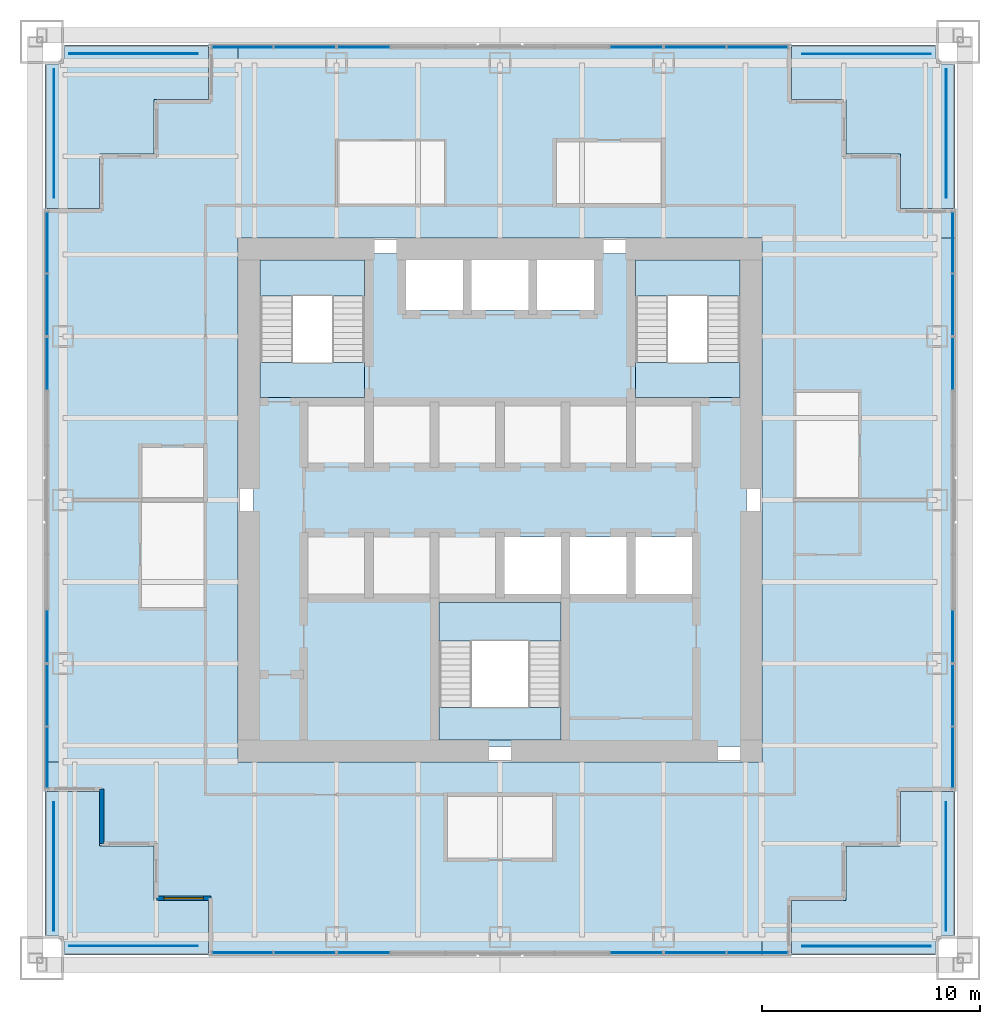
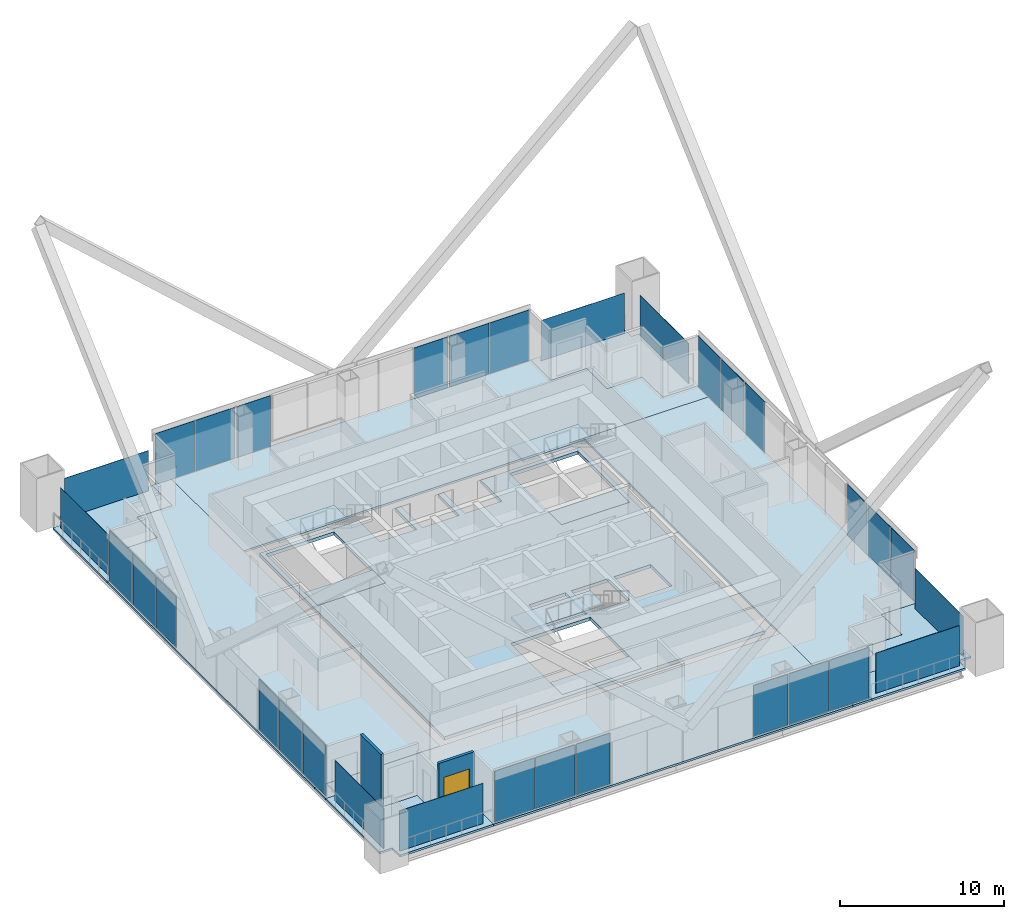
# One storey, part 13 of 19: 32 plates, 15 slabs, 2 walls, 1 window, 1 opening, 19 elements without a shape of their own.
"""IFC4 building model written with IfcOpenShell, lengths in metres."""

from ifc_helpers import new_model, si_unit, direction, frame, frame_2d, origin, origin_2d, place, context, subcontext, project, spatial, polyline, rectangle, outline, extrude, material, layer, layer_set, type_object, element, fill, aggregate, save


model = new_model("IFC4")

# Units and contexts
model_context = context("Model", 3, precision=1e-05, world=origin(), true_north=direction((0.0, 1.0)))
body_context = subcontext(model_context, "Body", "Model", "MODEL_VIEW")
ifc_project = project(units=[si_unit("LENGTHUNIT", "METRE"), si_unit("AREAUNIT", "SQUARE_METRE"), si_unit("VOLUMEUNIT", "CUBIC_METRE"), si_unit("PLANEANGLEUNIT", "RADIAN"), si_unit("MASSUNIT", "GRAM", prefix="KILO")], contexts=[model_context])

# Site, building, storey
site_placement = place(None, origin())
site = spatial("IfcSite", under=ifc_project, at=site_placement, CompositionType="ELEMENT")
building_placement = place(site_placement, origin())
building = spatial("IfcBuilding", under=site, at=building_placement, Name="Tarangal Relay Tower", CompositionType="ELEMENT")
storey_placement = place(building_placement, frame((0.0, 0.0, 275.89990234375)))
storey = spatial("IfcBuildingStorey", under=building, at=storey_placement, Name="L60", CompositionType="ELEMENT", Elevation=275.89990234375)

# Slabs
ifc_material_1 = material(Name="Concrete fc' 35 MPa", Category="concrete")
ifc_layer_1 = layer(ifc_material_1, 0.25)
ifc_layer_set_1 = layer_set([ifc_layer_1], Name="Core floor slab 250")
slab_type_1 = type_object("IfcSlabType", Name="Core floor slab 250", PredefinedType="FLOOR", material=ifc_layer_set_1)
slab_1_placement = place(storey_placement, frame((0.0, 0.0, -0.25)))
element("IfcSlab", 1, at=slab_1_placement, inside=storey, type_object=slab_type_1, Name="Core floor slab L60", PredefinedType="FLOOR", context=body_context, shape_type="SweptSolid", body=[
    extrude(outline(polyline([(11.300048828125, 11.300048828125), (11.300048828125, -11.300048828125), (-11.300048828125, -11.300048828125), (-11.300048828125, 11.300048828125), (-4.300048828125, 11.300048828125), (-4.300048828125, 8.699951171875), (-1.699951171875, 8.699951171875), (-1.699951171875, 11.300048828125), (-1.300048828125, 11.300048828125), (-1.300048828125, 8.699951171875), (1.300048828125, 8.699951171875), (1.300048828125, 11.300048828125), (1.699951171875, 11.300048828125), (1.699951171875, 8.699951171875), (4.300048828125, 8.699951171875), (4.300048828125, 11.300048828125), (11.300048828125, 11.300048828125)]), holes=[polyline([(2.800048828125, -4.699951171875), (-2.800048828125, -4.699951171875), (-2.800048828125, -11.0), (2.800048828125, -11.0), (2.800048828125, -4.699951171875)]), polyline([(2.800048828125, -1.699951171875), (0.199951171875, -1.699951171875), (0.199951171875, -4.300048828125), (2.800048828125, -4.300048828125), (2.800048828125, -1.699951171875)]), polyline([(5.800048828125, -1.699951171875), (3.199951171875, -1.699951171875), (3.199951171875, -4.300048828125), (5.800048828125, -4.300048828125), (5.800048828125, -1.699951171875)]), polyline([(8.800048828125, -1.699951171875), (6.199951171875, -1.699951171875), (6.199951171875, -4.300048828125), (8.800048828125, -4.300048828125), (8.800048828125, -1.699951171875)]), polyline([(-6.199951171875, 11.0), (-11.0, 11.0), (-11.0, 4.699951171875), (-6.199951171875, 4.699951171875), (-6.199951171875, 11.0)]), polyline([(11.0, 11.0), (6.199951171875, 11.0), (6.199951171875, 4.699951171875), (11.0, 4.699951171875), (11.0, 11.0)])]), origin(), (0.0, 0.0, 1.0), 0.25),
])
ifc_layer_2 = layer(ifc_material_1, 0.14990234375)
ifc_layer_set_2 = layer_set([ifc_layer_2], Name="Floor slab 150")
slab_type_2 = type_object("IfcSlabType", Name="Floor slab 150", PredefinedType="FLOOR", material=ifc_layer_set_2)
slab_2_placement = place(storey_placement, frame((0.0, 0.0, -0.14990234375)))
element("IfcSlab", 2, at=slab_2_placement, inside=storey, type_object=slab_type_2, Name="Floor slab FS3 L60 north bay", PredefinedType="FLOOR", context=body_context, shape_type="SweptSolid", body=[
    extrude(outline(polyline([(13.35009765625, 20.85009765625), (13.35009765625, 18.35009765625), (15.85009765625, 18.35009765625), (15.85009765625, 15.85009765625), (18.35009765625, 15.85009765625), (18.35009765625, 13.35009765625), (20.85009765625, 13.35009765625), (20.85009765625, 12.0), (-12.0, 12.0), (-12.0, 20.85009765625), (13.35009765625, 20.85009765625)])), origin(), (0.0, 0.0, 1.0), 0.14990234375),
])
slab_3_placement = place(storey_placement, frame((0.0, 0.0, -0.14990234375)))
element("IfcSlab", 3, at=slab_3_placement, inside=storey, type_object=slab_type_2, Name="Floor slab FS3 L60 east bay", PredefinedType="FLOOR", context=body_context, shape_type="SweptSolid", body=[
    extrude(outline(polyline([(20.85009765625, -13.35009765625), (18.35009765625, -13.35009765625), (18.35009765625, -15.85009765625), (15.85009765625, -15.85009765625), (15.85009765625, -18.35009765625), (13.35009765625, -18.35009765625), (13.35009765625, -20.85009765625), (12.0, -20.85009765625), (12.0, 12.0), (20.85009765625, 12.0), (20.85009765625, -13.35009765625)])), origin(), (0.0, 0.0, 1.0), 0.14990234375),
])
slab_4_placement = place(storey_placement, frame((0.0, 0.0, -0.14990234375)))
element("IfcSlab", 4, at=slab_4_placement, inside=storey, type_object=slab_type_2, Name="Floor slab FS3 L60 south bay", PredefinedType="FLOOR", context=body_context, shape_type="SweptSolid", body=[
    extrude(outline(polyline([(-13.35009765625, -20.85009765625), (-13.35009765625, -18.35009765625), (-15.85009765625, -18.35009765625), (-15.85009765625, -15.85009765625), (-18.35009765625, -15.85009765625), (-18.35009765625, -13.35009765625), (-20.85009765625, -13.35009765625), (-20.85009765625, -12.0), (12.0, -12.0), (12.0, -20.85009765625), (-13.35009765625, -20.85009765625)])), origin(), (0.0, 0.0, 1.0), 0.14990234375),
])
slab_5_placement = place(storey_placement, frame((0.0, 0.0, -0.14990234375)))
element("IfcSlab", 5, at=slab_5_placement, inside=storey, type_object=slab_type_2, Name="Floor slab FS3 L60 west bay", PredefinedType="FLOOR", context=body_context, shape_type="SweptSolid", body=[
    extrude(outline(polyline([(-12.0, 20.85009765625), (-12.0, -12.0), (-20.85009765625, -12.0), (-20.85009765625, 13.35009765625), (-18.35009765625, 13.35009765625), (-18.35009765625, 15.85009765625), (-15.85009765625, 15.85009765625), (-15.85009765625, 18.35009765625), (-13.35009765625, 18.35009765625), (-13.35009765625, 20.85009765625), (-12.0, 20.85009765625)])), origin(), (0.0, 0.0, 1.0), 0.14990234375),
])

# Curtain wall, plates
ifc_material_2 = material(Name="Unitised curtain wall, dark glass and black aluminium", Category="aluminium")
curtain_wall_type = type_object("IfcCurtainWallType", Name="Curtain wall CW-B", PredefinedType="USERDEFINED", material=ifc_material_2)
curtain_wall_1_placement = place(storey_placement, origin())
curtain_wall_1 = element("IfcCurtainWall", 6, at=curtain_wall_1_placement, inside=storey, type_object=curtain_wall_type, Name="Curtain wall CW-B N facade L60", ObjectType="UNITISED CURTAIN WALL", PredefinedType="USERDEFINED")
ifc_material_3 = material(Name="Dark tinted insulated glass unit", Category="glass")
ifc_layer_3 = layer(ifc_material_3, 0.030029296875)
ifc_layer_set_3 = layer_set([ifc_layer_3], Name="Glazed panel CW-B 30")
plate_type_1 = type_object("IfcPlateType", Name="Glazed panel CW-B 30", PredefinedType="CURTAIN_PANEL", material=ifc_layer_set_3)
plate_1_placement = place(storey_placement, frame((-11.797607421875, 20.75, 0.06005859375), z_axis=(0.0, 0.0, 1.0), x_axis=(1.0, 0.0, 0.0)))
plate_1 = element("IfcPlate", 7, at=plate_1_placement, type_object=plate_type_1, Name="CW-B panel 1.1", PredefinedType="CURTAIN_PANEL", context=body_context, shape_type="SweptSolid", body=[
    extrude(rectangle(XDim=2.784912109375, YDim=0.030029296875, at=origin_2d()), origin(), (0.0, 0.0, 1.0), 3.7900390625),
])
plate_2_placement = place(storey_placement, frame((-8.952392578125, 20.75, 0.06005859375), z_axis=(0.0, 0.0, 1.0), x_axis=(1.0, 0.0, 0.0)))
plate_2 = element("IfcPlate", 8, at=plate_2_placement, type_object=plate_type_1, Name="CW-B panel 2.1", PredefinedType="CURTAIN_PANEL", context=body_context, shape_type="SweptSolid", body=[
    extrude(rectangle(XDim=2.784912109375, YDim=0.030029296875, at=origin_2d()), origin(), (0.0, 0.0, 1.0), 3.7900390625),
])
aggregate(curtain_wall_1, [plate_1, plate_2])

# Curtain wall, plate
curtain_wall_2_placement = place(storey_placement, origin())
curtain_wall_2 = element("IfcCurtainWall", 9, at=curtain_wall_2_placement, inside=storey, type_object=curtain_wall_type, Name="Curtain wall CW-B N facade L60", ObjectType="UNITISED CURTAIN WALL", PredefinedType="USERDEFINED")
plate_3_placement = place(storey_placement, frame((-6.25, 20.75, 0.06005859375), z_axis=(0.0, 0.0, 1.0), x_axis=(1.0, 0.0, 0.0)))
plate_3 = element("IfcPlate", 10, at=plate_3_placement, type_object=plate_type_1, Name="CW-B panel 1.1", PredefinedType="CURTAIN_PANEL", context=body_context, shape_type="SweptSolid", body=[
    extrude(rectangle(XDim=2.3798828125, YDim=0.030029296875, at=origin_2d()), origin(), (0.0, 0.0, 1.0), 3.7900390625),
])
aggregate(curtain_wall_2, [plate_3])

curtain_wall_3_placement = place(storey_placement, origin())
curtain_wall_3 = element("IfcCurtainWall", 11, at=curtain_wall_3_placement, inside=storey, type_object=curtain_wall_type, Name="Curtain wall CW-B N facade L60", ObjectType="UNITISED CURTAIN WALL", PredefinedType="USERDEFINED")
plate_4_placement = place(storey_placement, frame((6.25, 20.75, 0.06005859375), z_axis=(0.0, 0.0, 1.0), x_axis=(1.0, 0.0, 0.0)))
plate_4 = element("IfcPlate", 12, at=plate_4_placement, type_object=plate_type_1, Name="CW-B panel 1.1", PredefinedType="CURTAIN_PANEL", context=body_context, shape_type="SweptSolid", body=[
    extrude(rectangle(XDim=2.3798828125, YDim=0.030029296875, at=origin_2d()), origin(), (0.0, 0.0, 1.0), 3.7900390625),
])
aggregate(curtain_wall_3, [plate_4])

# Curtain wall, plates
curtain_wall_4_placement = place(storey_placement, origin())
curtain_wall_4 = element("IfcCurtainWall", 13, at=curtain_wall_4_placement, inside=storey, type_object=curtain_wall_type, Name="Curtain wall CW-B N facade L60", ObjectType="UNITISED CURTAIN WALL", PredefinedType="USERDEFINED")
plate_5_placement = place(storey_placement, frame((8.952392578125, 20.75, 0.06005859375), z_axis=(0.0, 0.0, 1.0), x_axis=(1.0, 0.0, 0.0)))
plate_5 = element("IfcPlate", 14, at=plate_5_placement, type_object=plate_type_1, Name="CW-B panel 1.1", PredefinedType="CURTAIN_PANEL", context=body_context, shape_type="SweptSolid", body=[
    extrude(rectangle(XDim=2.784912109375, YDim=0.030029296875, at=origin_2d()), origin(), (0.0, 0.0, 1.0), 3.7900390625),
])
plate_6_placement = place(storey_placement, frame((11.797607421875, 20.75, 0.06005859375), z_axis=(0.0, 0.0, 1.0), x_axis=(1.0, 0.0, 0.0)))
plate_6 = element("IfcPlate", 15, at=plate_6_placement, type_object=plate_type_1, Name="CW-B panel 2.1", PredefinedType="CURTAIN_PANEL", context=body_context, shape_type="SweptSolid", body=[
    extrude(rectangle(XDim=2.784912109375, YDim=0.030029296875, at=origin_2d()), origin(), (0.0, 0.0, 1.0), 3.7900390625),
])
aggregate(curtain_wall_4, [plate_5, plate_6])

curtain_wall_5_placement = place(storey_placement, origin())
curtain_wall_5 = element("IfcCurtainWall", 16, at=curtain_wall_5_placement, inside=storey, type_object=curtain_wall_type, Name="Curtain wall CW-B E facade L60", ObjectType="UNITISED CURTAIN WALL", PredefinedType="USERDEFINED")
plate_7_placement = place(storey_placement, frame((20.75, 11.797607421875, 0.06005859375), z_axis=(0.0, 0.0, 1.0), x_axis=(0.0, -1.0, 0.0)))
plate_7 = element("IfcPlate", 17, at=plate_7_placement, type_object=plate_type_1, Name="CW-B panel 1.1", PredefinedType="CURTAIN_PANEL", context=body_context, shape_type="SweptSolid", body=[
    extrude(rectangle(XDim=2.784912109375, YDim=0.030029296875, at=origin_2d()), origin(), (0.0, 0.0, 1.0), 3.7900390625),
])
plate_8_placement = place(storey_placement, frame((20.75, 8.952392578125, 0.06005859375), z_axis=(0.0, 0.0, 1.0), x_axis=(0.0, -1.0, 0.0)))
plate_8 = element("IfcPlate", 18, at=plate_8_placement, type_object=plate_type_1, Name="CW-B panel 2.1", PredefinedType="CURTAIN_PANEL", context=body_context, shape_type="SweptSolid", body=[
    extrude(rectangle(XDim=2.784912109375, YDim=0.030029296875, at=origin_2d()), origin(), (0.0, 0.0, 1.0), 3.7900390625),
])
aggregate(curtain_wall_5, [plate_7, plate_8])

# Curtain wall, plate
curtain_wall_6_placement = place(storey_placement, origin())
curtain_wall_6 = element("IfcCurtainWall", 19, at=curtain_wall_6_placement, inside=storey, type_object=curtain_wall_type, Name="Curtain wall CW-B E facade L60", ObjectType="UNITISED CURTAIN WALL", PredefinedType="USERDEFINED")
plate_9_placement = place(storey_placement, frame((20.75, 6.25, 0.06005859375), z_axis=(0.0, 0.0, 1.0), x_axis=(0.0, -1.0, 0.0)))
plate_9 = element("IfcPlate", 20, at=plate_9_placement, type_object=plate_type_1, Name="CW-B panel 1.1", PredefinedType="CURTAIN_PANEL", context=body_context, shape_type="SweptSolid", body=[
    extrude(rectangle(XDim=2.3798828125, YDim=0.030029296875, at=origin_2d()), origin(), (0.0, 0.0, 1.0), 3.7900390625),
])
aggregate(curtain_wall_6, [plate_9])

curtain_wall_7_placement = place(storey_placement, origin())
curtain_wall_7 = element("IfcCurtainWall", 21, at=curtain_wall_7_placement, inside=storey, type_object=curtain_wall_type, Name="Curtain wall CW-B E facade L60", ObjectType="UNITISED CURTAIN WALL", PredefinedType="USERDEFINED")
plate_10_placement = place(storey_placement, frame((20.75, -6.25, 0.06005859375), z_axis=(0.0, 0.0, 1.0), x_axis=(0.0, -1.0, 0.0)))
plate_10 = element("IfcPlate", 22, at=plate_10_placement, type_object=plate_type_1, Name="CW-B panel 1.1", PredefinedType="CURTAIN_PANEL", context=body_context, shape_type="SweptSolid", body=[
    extrude(rectangle(XDim=2.3798828125, YDim=0.030029296875, at=origin_2d()), origin(), (0.0, 0.0, 1.0), 3.7900390625),
])
aggregate(curtain_wall_7, [plate_10])

# Curtain wall, plates
curtain_wall_8_placement = place(storey_placement, origin())
curtain_wall_8 = element("IfcCurtainWall", 23, at=curtain_wall_8_placement, inside=storey, type_object=curtain_wall_type, Name="Curtain wall CW-B E facade L60", ObjectType="UNITISED CURTAIN WALL", PredefinedType="USERDEFINED")
plate_11_placement = place(storey_placement, frame((20.75, -8.952392578125, 0.06005859375), z_axis=(0.0, 0.0, 1.0), x_axis=(0.0, -1.0, 0.0)))
plate_11 = element("IfcPlate", 24, at=plate_11_placement, type_object=plate_type_1, Name="CW-B panel 1.1", PredefinedType="CURTAIN_PANEL", context=body_context, shape_type="SweptSolid", body=[
    extrude(rectangle(XDim=2.784912109375, YDim=0.030029296875, at=origin_2d()), origin(), (0.0, 0.0, 1.0), 3.7900390625),
])
plate_12_placement = place(storey_placement, frame((20.75, -11.797607421875, 0.06005859375), z_axis=(0.0, 0.0, 1.0), x_axis=(0.0, -1.0, 0.0)))
plate_12 = element("IfcPlate", 25, at=plate_12_placement, type_object=plate_type_1, Name="CW-B panel 2.1", PredefinedType="CURTAIN_PANEL", context=body_context, shape_type="SweptSolid", body=[
    extrude(rectangle(XDim=2.784912109375, YDim=0.030029296875, at=origin_2d()), origin(), (0.0, 0.0, 1.0), 3.7900390625),
])
aggregate(curtain_wall_8, [plate_11, plate_12])

curtain_wall_9_placement = place(storey_placement, origin())
curtain_wall_9 = element("IfcCurtainWall", 26, at=curtain_wall_9_placement, inside=storey, type_object=curtain_wall_type, Name="Curtain wall CW-B S facade L60", ObjectType="UNITISED CURTAIN WALL", PredefinedType="USERDEFINED")
plate_13_placement = place(storey_placement, frame((11.797607421875, -20.75, 0.06005859375), z_axis=(0.0, 0.0, 1.0), x_axis=(-1.0, 0.0, 0.0)))
plate_13 = element("IfcPlate", 27, at=plate_13_placement, type_object=plate_type_1, Name="CW-B panel 1.1", PredefinedType="CURTAIN_PANEL", context=body_context, shape_type="SweptSolid", body=[
    extrude(rectangle(XDim=2.784912109375, YDim=0.030029296875, at=origin_2d()), origin(), (0.0, 0.0, 1.0), 3.7900390625),
])
plate_14_placement = place(storey_placement, frame((8.952392578125, -20.75, 0.06005859375), z_axis=(0.0, 0.0, 1.0), x_axis=(-1.0, 0.0, 0.0)))
plate_14 = element("IfcPlate", 28, at=plate_14_placement, type_object=plate_type_1, Name="CW-B panel 2.1", PredefinedType="CURTAIN_PANEL", context=body_context, shape_type="SweptSolid", body=[
    extrude(rectangle(XDim=2.784912109375, YDim=0.030029296875, at=origin_2d()), origin(), (0.0, 0.0, 1.0), 3.7900390625),
])
aggregate(curtain_wall_9, [plate_13, plate_14])

# Curtain wall, plate
curtain_wall_10_placement = place(storey_placement, origin())
curtain_wall_10 = element("IfcCurtainWall", 29, at=curtain_wall_10_placement, inside=storey, type_object=curtain_wall_type, Name="Curtain wall CW-B S facade L60", ObjectType="UNITISED CURTAIN WALL", PredefinedType="USERDEFINED")
plate_15_placement = place(storey_placement, frame((6.25, -20.75, 0.06005859375), z_axis=(0.0, 0.0, 1.0), x_axis=(-1.0, 0.0, 0.0)))
plate_15 = element("IfcPlate", 30, at=plate_15_placement, type_object=plate_type_1, Name="CW-B panel 1.1", PredefinedType="CURTAIN_PANEL", context=body_context, shape_type="SweptSolid", body=[
    extrude(rectangle(XDim=2.3798828125, YDim=0.030029296875, at=origin_2d()), origin(), (0.0, 0.0, 1.0), 3.7900390625),
])
aggregate(curtain_wall_10, [plate_15])

curtain_wall_11_placement = place(storey_placement, origin())
curtain_wall_11 = element("IfcCurtainWall", 31, at=curtain_wall_11_placement, inside=storey, type_object=curtain_wall_type, Name="Curtain wall CW-B S facade L60", ObjectType="UNITISED CURTAIN WALL", PredefinedType="USERDEFINED")
plate_16_placement = place(storey_placement, frame((-6.25, -20.75, 0.06005859375), z_axis=(0.0, 0.0, 1.0), x_axis=(-1.0, 0.0, 0.0)))
plate_16 = element("IfcPlate", 32, at=plate_16_placement, type_object=plate_type_1, Name="CW-B panel 1.1", PredefinedType="CURTAIN_PANEL", context=body_context, shape_type="SweptSolid", body=[
    extrude(rectangle(XDim=2.3798828125, YDim=0.030029296875, at=origin_2d()), origin(), (0.0, 0.0, 1.0), 3.7900390625),
])
aggregate(curtain_wall_11, [plate_16])

# Curtain wall, plates
curtain_wall_12_placement = place(storey_placement, origin())
curtain_wall_12 = element("IfcCurtainWall", 33, at=curtain_wall_12_placement, inside=storey, type_object=curtain_wall_type, Name="Curtain wall CW-B S facade L60", ObjectType="UNITISED CURTAIN WALL", PredefinedType="USERDEFINED")
plate_17_placement = place(storey_placement, frame((-8.952392578125, -20.75, 0.06005859375), z_axis=(0.0, 0.0, 1.0), x_axis=(-1.0, 0.0, 0.0)))
plate_17 = element("IfcPlate", 34, at=plate_17_placement, type_object=plate_type_1, Name="CW-B panel 1.1", PredefinedType="CURTAIN_PANEL", context=body_context, shape_type="SweptSolid", body=[
    extrude(rectangle(XDim=2.784912109375, YDim=0.030029296875, at=origin_2d()), origin(), (0.0, 0.0, 1.0), 3.7900390625),
])
plate_18_placement = place(storey_placement, frame((-11.797607421875, -20.75, 0.06005859375), z_axis=(0.0, 0.0, 1.0), x_axis=(-1.0, 0.0, 0.0)))
plate_18 = element("IfcPlate", 35, at=plate_18_placement, type_object=plate_type_1, Name="CW-B panel 2.1", PredefinedType="CURTAIN_PANEL", context=body_context, shape_type="SweptSolid", body=[
    extrude(rectangle(XDim=2.784912109375, YDim=0.030029296875, at=origin_2d()), origin(), (0.0, 0.0, 1.0), 3.7900390625),
])
aggregate(curtain_wall_12, [plate_17, plate_18])

curtain_wall_13_placement = place(storey_placement, origin())
curtain_wall_13 = element("IfcCurtainWall", 36, at=curtain_wall_13_placement, inside=storey, type_object=curtain_wall_type, Name="Curtain wall CW-B W facade L60", ObjectType="UNITISED CURTAIN WALL", PredefinedType="USERDEFINED")
plate_19_placement = place(storey_placement, frame((-20.75, -11.797607421875, 0.06005859375), z_axis=(0.0, 0.0, 1.0), x_axis=(0.0, 1.0, 0.0)))
plate_19 = element("IfcPlate", 37, at=plate_19_placement, type_object=plate_type_1, Name="CW-B panel 1.1", PredefinedType="CURTAIN_PANEL", context=body_context, shape_type="SweptSolid", body=[
    extrude(rectangle(XDim=2.784912109375, YDim=0.030029296875, at=origin_2d()), origin(), (0.0, 0.0, 1.0), 3.7900390625),
])
plate_20_placement = place(storey_placement, frame((-20.75, -8.952392578125, 0.06005859375), z_axis=(0.0, 0.0, 1.0), x_axis=(0.0, 1.0, 0.0)))
plate_20 = element("IfcPlate", 38, at=plate_20_placement, type_object=plate_type_1, Name="CW-B panel 2.1", PredefinedType="CURTAIN_PANEL", context=body_context, shape_type="SweptSolid", body=[
    extrude(rectangle(XDim=2.784912109375, YDim=0.030029296875, at=origin_2d()), origin(), (0.0, 0.0, 1.0), 3.7900390625),
])
aggregate(curtain_wall_13, [plate_19, plate_20])

# Curtain wall, plate
curtain_wall_14_placement = place(storey_placement, origin())
curtain_wall_14 = element("IfcCurtainWall", 39, at=curtain_wall_14_placement, inside=storey, type_object=curtain_wall_type, Name="Curtain wall CW-B W facade L60", ObjectType="UNITISED CURTAIN WALL", PredefinedType="USERDEFINED")
plate_21_placement = place(storey_placement, frame((-20.75, -6.25, 0.06005859375), z_axis=(0.0, 0.0, 1.0), x_axis=(0.0, 1.0, 0.0)))
plate_21 = element("IfcPlate", 40, at=plate_21_placement, type_object=plate_type_1, Name="CW-B panel 1.1", PredefinedType="CURTAIN_PANEL", context=body_context, shape_type="SweptSolid", body=[
    extrude(rectangle(XDim=2.3798828125, YDim=0.030029296875, at=origin_2d()), origin(), (0.0, 0.0, 1.0), 3.7900390625),
])
aggregate(curtain_wall_14, [plate_21])

curtain_wall_15_placement = place(storey_placement, origin())
curtain_wall_15 = element("IfcCurtainWall", 41, at=curtain_wall_15_placement, inside=storey, type_object=curtain_wall_type, Name="Curtain wall CW-B W facade L60", ObjectType="UNITISED CURTAIN WALL", PredefinedType="USERDEFINED")
plate_22_placement = place(storey_placement, frame((-20.75, 6.25, 0.06005859375), z_axis=(0.0, 0.0, 1.0), x_axis=(0.0, 1.0, 0.0)))
plate_22 = element("IfcPlate", 42, at=plate_22_placement, type_object=plate_type_1, Name="CW-B panel 1.1", PredefinedType="CURTAIN_PANEL", context=body_context, shape_type="SweptSolid", body=[
    extrude(rectangle(XDim=2.3798828125, YDim=0.030029296875, at=origin_2d()), origin(), (0.0, 0.0, 1.0), 3.7900390625),
])
aggregate(curtain_wall_15, [plate_22])

# Curtain wall, plates
curtain_wall_16_placement = place(storey_placement, origin())
curtain_wall_16 = element("IfcCurtainWall", 43, at=curtain_wall_16_placement, inside=storey, type_object=curtain_wall_type, Name="Curtain wall CW-B W facade L60", ObjectType="UNITISED CURTAIN WALL", PredefinedType="USERDEFINED")
plate_23_placement = place(storey_placement, frame((-20.75, 8.952392578125, 0.06005859375), z_axis=(0.0, 0.0, 1.0), x_axis=(0.0, 1.0, 0.0)))
plate_23 = element("IfcPlate", 44, at=plate_23_placement, type_object=plate_type_1, Name="CW-B panel 1.1", PredefinedType="CURTAIN_PANEL", context=body_context, shape_type="SweptSolid", body=[
    extrude(rectangle(XDim=2.784912109375, YDim=0.030029296875, at=origin_2d()), origin(), (0.0, 0.0, 1.0), 3.7900390625),
])
plate_24_placement = place(storey_placement, frame((-20.75, 11.797607421875, 0.06005859375), z_axis=(0.0, 0.0, 1.0), x_axis=(0.0, 1.0, 0.0)))
plate_24 = element("IfcPlate", 45, at=plate_24_placement, type_object=plate_type_1, Name="CW-B panel 2.1", PredefinedType="CURTAIN_PANEL", context=body_context, shape_type="SweptSolid", body=[
    extrude(rectangle(XDim=2.784912109375, YDim=0.030029296875, at=origin_2d()), origin(), (0.0, 0.0, 1.0), 3.7900390625),
])
aggregate(curtain_wall_16, [plate_23, plate_24])

# Plates
ifc_material_4 = material(Name="Black stainless steel cable trellis with climbing planting", Category="steel")
ifc_layer_4 = layer(ifc_material_4, 0.030029296875)
ifc_layer_set_4 = layer_set([ifc_layer_4], Name="Planted trellis screen")
plate_type_2 = type_object("IfcPlateType", Name="Planted trellis screen", PredefinedType="SHEET", material=ifc_layer_set_4)
for number, where, z_axis, x_axis, name in (
    (46, (20.449951171875, 16.800048828125, 0.0), (0.0, 0.0, 1.0), (0.0, -1.0, 0.0), "Planted trellis SC2 NE L60"),
    (47, (16.800048828125, -20.449951171875, 0.0), (0.0, 0.0, 1.0), (-1.0, 0.0, 0.0), "Planted trellis SC2 SE L60"),
    (48, (-20.449951171875, -16.800048828125, 0.0), (0.0, 0.0, 1.0), (0.0, 1.0, 0.0), "Planted trellis SC2 SW L60"),
    (49, (-16.800048828125, 20.449951171875, 0.0), (0.0, 0.0, 1.0), (1.0, 0.0, 0.0), "Planted trellis SC2 NW L60"),
):
    element("IfcPlate", number, at=place(storey_placement, frame(where, z_axis=z_axis, x_axis=x_axis)), inside=storey, type_object=plate_type_2, Name=name, PredefinedType="SHEET", context=body_context, shape_type="SweptSolid", body=[
        extrude(rectangle(XDim=5.89990234375, YDim=0.030029296875, at=origin_2d()), origin(), (0.0, 0.0, 1.0), 3.0),
    ])

# Stair, slabs
ifc_material_5 = material(Name="Steel ASTM A992 stair flight", Category="steel")
stair_type = type_object("IfcStairType", Name="Core stair 1500", PredefinedType="HALF_TURN_STAIR", material=ifc_material_5)
stair_1_placement = place(storey_placement, origin())
stair_1 = element("IfcStair", 50, at=stair_1_placement, inside=storey, type_object=stair_type, Name="Stair ST-A L60", PredefinedType="HALF_TURN_STAIR")
ifc_layer_5 = layer(ifc_material_1, 0.199951171875)
ifc_layer_set_5 = layer_set([ifc_layer_5], Name="Stair landing 200")
slab_type_3 = type_object("IfcSlabType", Name="Stair landing 200", PredefinedType="LANDING", material=ifc_layer_set_5)
slab_6_placement = place(storey_placement, frame((0.0, 0.0, -0.199951171875)))
slab_6 = element("IfcSlab", 51, at=slab_6_placement, type_object=slab_type_3, Name="ST-A landing 1", PredefinedType="LANDING", context=body_context, shape_type="SweptSolid", body=[
    extrude(outline(polyline([(-11.0, 4.699951171875), (-6.199951171875, 4.699951171875), (-6.199951171875, 6.300048828125), (-11.0, 6.300048828125), (-11.0, 4.699951171875)])), origin(), (0.0, 0.0, 1.0), 0.199951171875),
])
slab_7_placement = place(storey_placement, frame((0.0, 0.0, 1.800048828125)))
slab_7 = element("IfcSlab", 52, at=slab_7_placement, type_object=slab_type_3, Name="ST-A landing 2", PredefinedType="LANDING", context=body_context, shape_type="SweptSolid", body=[
    extrude(outline(polyline([(-11.0, 9.346923828125), (-6.199951171875, 9.346923828125), (-6.199951171875, 11.0), (-11.0, 11.0), (-11.0, 9.346923828125)])), origin(), (0.0, 0.0, 1.0), 0.199951171875),
])
aggregate(stair_1, [slab_6, slab_7])

stair_2_placement = place(storey_placement, origin())
stair_2 = element("IfcStair", 53, at=stair_2_placement, inside=storey, type_object=stair_type, Name="Stair ST-B L60", PredefinedType="HALF_TURN_STAIR")
slab_8_placement = place(storey_placement, frame((0.0, 0.0, -0.199951171875)))
slab_8 = element("IfcSlab", 54, at=slab_8_placement, type_object=slab_type_3, Name="ST-B landing 1", PredefinedType="LANDING", context=body_context, shape_type="SweptSolid", body=[
    extrude(outline(polyline([(6.199951171875, 4.699951171875), (11.0, 4.699951171875), (11.0, 6.300048828125), (6.199951171875, 6.300048828125), (6.199951171875, 4.699951171875)])), origin(), (0.0, 0.0, 1.0), 0.199951171875),
])
slab_9_placement = place(storey_placement, frame((0.0, 0.0, 1.800048828125)))
slab_9 = element("IfcSlab", 55, at=slab_9_placement, type_object=slab_type_3, Name="ST-B landing 2", PredefinedType="LANDING", context=body_context, shape_type="SweptSolid", body=[
    extrude(outline(polyline([(6.199951171875, 9.346923828125), (11.0, 9.346923828125), (11.0, 11.0), (6.199951171875, 11.0), (6.199951171875, 9.346923828125)])), origin(), (0.0, 0.0, 1.0), 0.199951171875),
])
aggregate(stair_2, [slab_8, slab_9])

stair_3_placement = place(storey_placement, origin())
stair_3 = element("IfcStair", 56, at=stair_3_placement, inside=storey, type_object=stair_type, Name="Stair ST-C L60", PredefinedType="HALF_TURN_STAIR")
slab_10_placement = place(storey_placement, frame((0.0, 0.0, -0.199951171875)))
slab_10 = element("IfcSlab", 57, at=slab_10_placement, type_object=slab_type_3, Name="ST-C landing 1", PredefinedType="LANDING", context=body_context, shape_type="SweptSolid", body=[
    extrude(outline(polyline([(-2.800048828125, -11.0), (2.800048828125, -11.0), (2.800048828125, -9.5), (-2.800048828125, -9.5), (-2.800048828125, -11.0)])), origin(), (0.0, 0.0, 1.0), 0.199951171875),
])
slab_11_placement = place(storey_placement, frame((0.0, 0.0, 1.800048828125)))
slab_11 = element("IfcSlab", 58, at=slab_11_placement, type_object=slab_type_3, Name="ST-C landing 2", PredefinedType="LANDING", context=body_context, shape_type="SweptSolid", body=[
    extrude(outline(polyline([(-2.800048828125, -6.452880859375), (2.800048828125, -6.452880859375), (2.800048828125, -4.699951171875), (-2.800048828125, -4.699951171875), (-2.800048828125, -6.452880859375)])), origin(), (0.0, 0.0, 1.0), 0.199951171875),
])
aggregate(stair_3, [slab_10, slab_11])

# Plates
ifc_material_6 = material(Name="Perforated black aluminium screen", Category="aluminium")
ifc_layer_6 = layer(ifc_material_6, 0.02001953125)
ifc_layer_set_6 = layer_set([ifc_layer_6], Name="Terrace screen panel")
plate_type_3 = type_object("IfcPlateType", Name="Terrace screen panel", PredefinedType="SHEET", material=ifc_layer_set_6)
for number, where, z_axis, x_axis, name in (
    (59, (16.800048828125, 20.449951171875, 0.0), (0.0, 0.0, 1.0), (1.0, 0.0, 0.0), "Terrace screen SC1 NE L60"),
    (60, (20.449951171875, -16.800048828125, 0.0), (0.0, 0.0, 1.0), (0.0, -1.0, 0.0), "Terrace screen SC1 SE L60"),
    (61, (-16.800048828125, -20.449951171875, 0.0), (0.0, 0.0, 1.0), (-1.0, 0.0, 0.0), "Terrace screen SC1 SW L60"),
    (62, (-20.449951171875, 16.800048828125, 0.0), (0.0, 0.0, 1.0), (0.0, 1.0, 0.0), "Terrace screen SC1 NW L60"),
):
    element("IfcPlate", number, at=place(storey_placement, frame(where, z_axis=z_axis, x_axis=x_axis)), inside=storey, type_object=plate_type_3, Name=name, PredefinedType="SHEET", context=body_context, shape_type="SweptSolid", body=[
        extrude(rectangle(XDim=5.89990234375, YDim=0.02001953125, at=origin_2d()), origin(), (0.0, 0.0, 1.0), 3.0),
    ])

# Slabs
ifc_layer_7 = layer(ifc_material_1, 0.14990234375)
ifc_layer_set_7 = layer_set([ifc_layer_7], Name="Terrace slab 150")
slab_type_4 = type_object("IfcSlabType", Name="Terrace slab 150", PredefinedType="FLOOR", material=ifc_layer_set_7)
slab_12_placement = place(storey_placement, frame((0.0, 0.0, -0.14990234375)))
element("IfcSlab", 63, at=slab_12_placement, inside=storey, type_object=slab_type_4, Name="Corner terrace NE L60", PredefinedType="FLOOR", context=body_context, shape_type="SweptSolid", body=[
    extrude(outline(polyline([(13.35009765625, 20.85009765625), (13.35009765625, 18.35009765625), (15.85009765625, 18.35009765625), (15.85009765625, 15.85009765625), (18.35009765625, 15.85009765625), (18.35009765625, 13.35009765625), (20.85009765625, 13.35009765625), (20.85009765625, 19.949951171875), (19.949951171875, 19.949951171875), (19.949951171875, 20.85009765625), (13.35009765625, 20.85009765625)])), origin(), (0.0, 0.0, 1.0), 0.14990234375),
])
slab_13_placement = place(storey_placement, frame((0.0, 0.0, -0.14990234375)))
element("IfcSlab", 64, at=slab_13_placement, inside=storey, type_object=slab_type_4, Name="Corner terrace SE L60", PredefinedType="FLOOR", context=body_context, shape_type="SweptSolid", body=[
    extrude(outline(polyline([(20.85009765625, -13.35009765625), (18.35009765625, -13.35009765625), (18.35009765625, -15.85009765625), (15.85009765625, -15.85009765625), (15.85009765625, -18.35009765625), (13.35009765625, -18.35009765625), (13.35009765625, -20.85009765625), (19.949951171875, -20.85009765625), (19.949951171875, -19.949951171875), (20.85009765625, -19.949951171875), (20.85009765625, -13.35009765625)])), origin(), (0.0, 0.0, 1.0), 0.14990234375),
])
slab_14_placement = place(storey_placement, frame((0.0, 0.0, -0.14990234375)))
element("IfcSlab", 65, at=slab_14_placement, inside=storey, type_object=slab_type_4, Name="Corner terrace SW L60", PredefinedType="FLOOR", context=body_context, shape_type="SweptSolid", body=[
    extrude(outline(polyline([(-13.35009765625, -20.85009765625), (-13.35009765625, -18.35009765625), (-15.85009765625, -18.35009765625), (-15.85009765625, -15.85009765625), (-18.35009765625, -15.85009765625), (-18.35009765625, -13.35009765625), (-20.85009765625, -13.35009765625), (-20.85009765625, -19.949951171875), (-19.949951171875, -19.949951171875), (-19.949951171875, -20.85009765625), (-13.35009765625, -20.85009765625)])), origin(), (0.0, 0.0, 1.0), 0.14990234375),
])
slab_15_placement = place(storey_placement, frame((0.0, 0.0, -0.14990234375)))
element("IfcSlab", 66, at=slab_15_placement, inside=storey, type_object=slab_type_4, Name="Corner terrace NW L60", PredefinedType="FLOOR", context=body_context, shape_type="SweptSolid", body=[
    extrude(outline(polyline([(-20.85009765625, 13.35009765625), (-18.35009765625, 13.35009765625), (-18.35009765625, 15.85009765625), (-15.85009765625, 15.85009765625), (-15.85009765625, 18.35009765625), (-13.35009765625, 18.35009765625), (-13.35009765625, 20.85009765625), (-19.949951171875, 20.85009765625), (-19.949951171875, 19.949951171875), (-20.85009765625, 19.949951171875), (-20.85009765625, 13.35009765625)])), origin(), (0.0, 0.0, 1.0), 0.14990234375),
])

# Wall, opening, window
ifc_material_7 = material(Name="Black metal clad insulated wall", Category="steel")
ifc_layer_8 = layer(ifc_material_7, 0.199951171875)
ifc_layer_set_8 = layer_set([ifc_layer_8], Name="Corner wall metal clad 200")
wall_type = type_object("IfcWallType", Name="Corner wall metal clad 200", PredefinedType="SOLIDWALL", material=ifc_layer_set_8)
wall_1_placement = place(storey_placement, frame((-13.25, -18.25, 0.0), z_axis=(0.0, 0.0, 1.0), x_axis=(-1.0, 0.0, 0.0)))
wall_1 = element("IfcWall", 67, at=wall_1_placement, inside=storey, type_object=wall_type, Name="Facade wall S facade L60", PredefinedType="SOLIDWALL", context=body_context, shape_type="SweptSolid", body=[
    extrude(rectangle(XDim=2.5, YDim=0.199951171875, at=frame_2d((1.25, 0.0))), origin(), (0.0, 0.0, 1.0), 3.85009765625),
])
opening_placement = place(wall_1_placement, frame((0.35009765625, 0.0, 0.300048828125)))
opening = element("IfcOpeningElement", 68, at=opening_placement, cuts=wall_1, Name="Opening WN2", PredefinedType="OPENING", context=body_context, shape_type="SweptSolid", body=[
    extrude(rectangle(XDim=1.800048828125, YDim=2.39990234375, at=frame_2d((0.89990234375, 1.199951171875))), frame((0.0, 0.10986328125, 0.0), z_axis=(0.0, -1.0, 0.0), x_axis=(1.0, 0.0, 0.0)), (0.0, 0.0, 1.0), 0.219970703125),
])
ifc_material_8 = material(Name="Dark tinted double glazing in black aluminium frame", Category="aluminium")
window_type = type_object("IfcWindowType", Name="Corner window 1800 x 2400", PartitioningType="SINGLE_PANEL", PredefinedType="WINDOW", material=ifc_material_8)
window_placement = place(opening_placement, origin())
window = element("IfcWindow", 69, at=window_placement, inside=storey, type_object=window_type, Name="Corner window WN2 S facade L60", OverallHeight=2.39990234375, OverallWidth=1.800048828125, PartitioningType="SINGLE_PANEL", PredefinedType="WINDOW", context=body_context, shape_type="SweptSolid", body=[
    extrude(rectangle(XDim=1.800048828125, YDim=2.39990234375, at=frame_2d((0.89990234375, 1.199951171875))), frame((0.0, 0.030029296875, 0.0), z_axis=(0.0, -1.0, 0.0), x_axis=(1.0, 0.0, 0.0)), (0.0, 0.0, 1.0), 0.06005859375),
])
fill(opening, window)

# Wall
wall_2_placement = place(storey_placement, frame((-18.25, -15.75, 0.0), z_axis=(0.0, 0.0, 1.0), x_axis=(0.0, 1.0, 0.0)))
element("IfcWall", 70, at=wall_2_placement, inside=storey, type_object=wall_type, Name="Facade wall S facade L60", PredefinedType="SOLIDWALL", context=body_context, shape_type="SweptSolid", body=[
    extrude(rectangle(XDim=2.5, YDim=0.199951171875, at=frame_2d((1.25, 0.0))), origin(), (0.0, 0.0, 1.0), 3.85009765625),
])

save(model, "model.ifc")
